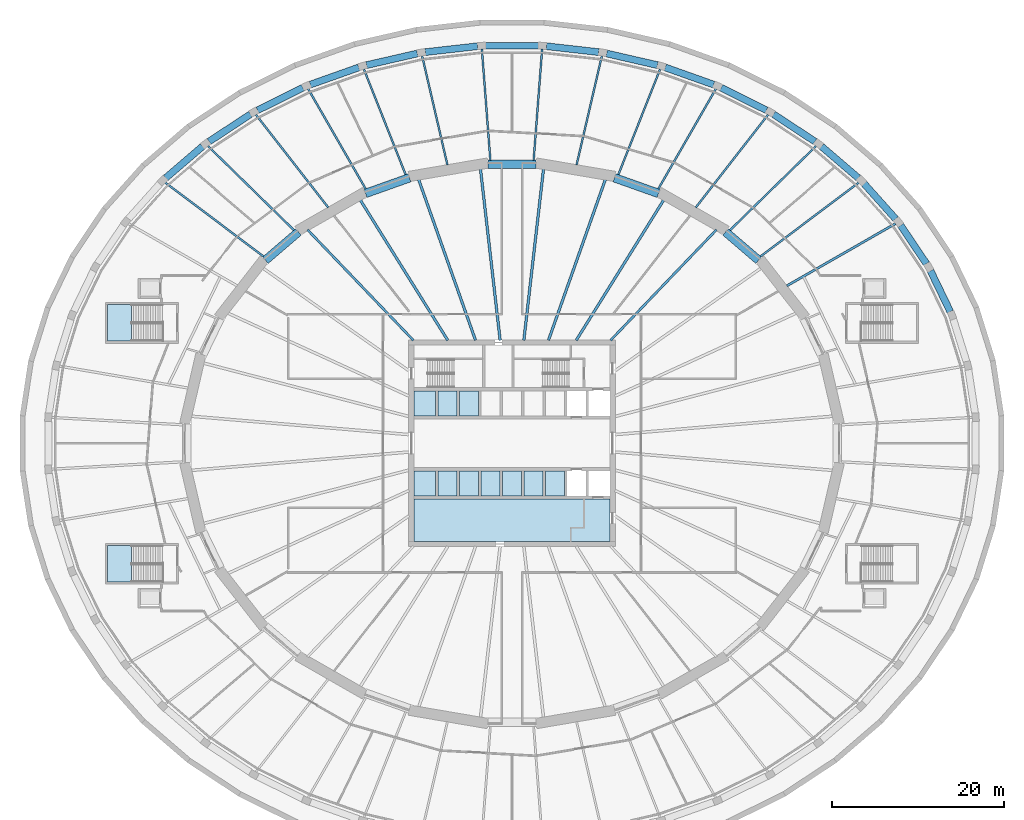
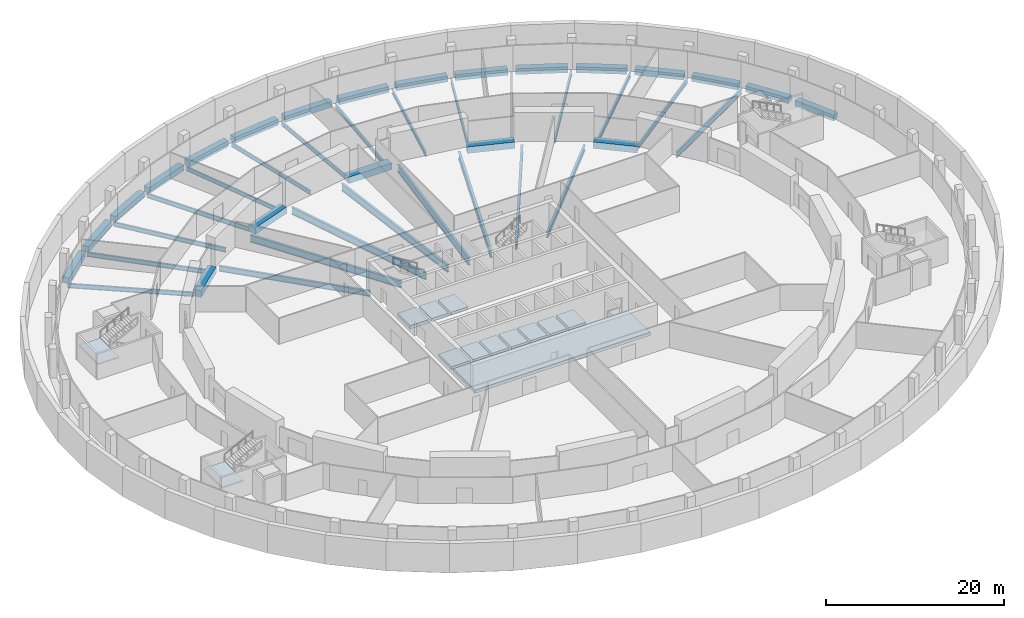
# One storey, part 3 of 14: 44 beams, 13 slabs, 2 elements without a shape of their own.
"""IFC4 building model written with IfcOpenShell, lengths in metres."""

from ifc_helpers import new_model, si_unit, direction, frame, origin, origin_2d, place, context, subcontext, project, spatial, polyline, rectangle, i_section, outline, extrude, material, layer, layer_set, material_profile, profile_set, type_object, element, aggregate, save


model = new_model("IFC4")

# Units and contexts
model_context = context("Model", 3, precision=1e-05, world=origin(), true_north=direction((0.0, 1.0)))
body_context = subcontext(model_context, "Body", "Model", "MODEL_VIEW")
ifc_project = project(units=[si_unit("LENGTHUNIT", "METRE"), si_unit("AREAUNIT", "SQUARE_METRE"), si_unit("VOLUMEUNIT", "CUBIC_METRE"), si_unit("PLANEANGLEUNIT", "RADIAN"), si_unit("MASSUNIT", "GRAM", prefix="KILO")], contexts=[model_context])

# Site, building, storey
site_placement = place(None, origin())
site = spatial("IfcSite", under=ifc_project, at=site_placement, CompositionType="ELEMENT")
building_placement = place(site_placement, origin())
building = spatial("IfcBuilding", under=site, at=building_placement, Name="Halqa Exchange Tower", CompositionType="ELEMENT")
storey_placement = place(building_placement, frame((0.0, 0.0, -4.0)))
storey = spatial("IfcBuildingStorey", under=building, at=storey_placement, Name="B1", CompositionType="ELEMENT", Elevation=-4.0)

# Beams
ifc_material_1 = material(Name="Steel S355", Category="steel")
ifc_material_profile_1 = material_profile(ifc_material_1, i_section(OverallWidth=0.300048828125, OverallDepth=0.989990234375, WebThickness=0.0166015625, FlangeThickness=0.031005859375, FilletRadius=0.030029296875, at=origin_2d()), Name="HEA 1000")
ifc_profile_set_1 = profile_set([ifc_material_profile_1], Name="Steel S355")
beam_type_1 = type_object("IfcBeamType", Name="Floor beam HEA 1000", PredefinedType="BEAM", material=ifc_profile_set_1)
for number, where, z_axis, x_axis, name in (
    (1, (7.46533203125, 11.971435546875, -0.945068359375), (0.529145823441, 0.848530905468, 0.0), (-0.848530905468, 0.529145823441, 0.0), "Radial beam 6"),
    (2, (-7.46533203125, 11.971435546875, -0.945068359375), (-0.529145823441, 0.848530905468, 0.0), (-0.848530905468, -0.529145823441, 0.0), "Radial beam 11"),
):
    element("IfcBeam", number, at=place(storey_placement, frame(where, z_axis=z_axis, x_axis=x_axis)), inside=storey, type_object=beam_type_1, Name=name, PredefinedType="BEAM", context=body_context, shape_type="SweptSolid", body=[
        extrude(i_section(OverallWidth=0.300048828125, OverallDepth=0.989990234375, WebThickness=0.0166015625, FlangeThickness=0.031005859375, FilletRadius=0.030029296875, at=origin_2d()), origin(), (0.0, 0.0, 1.0), 19.27294921875),
    ])
ifc_material_profile_2 = material_profile(ifc_material_1, i_section(OverallWidth=0.300048828125, OverallDepth=1.0, WebThickness=0.01904296875, FlangeThickness=0.035888671875, FilletRadius=0.030029296875, at=origin_2d()), Name="HEB 1000")
ifc_profile_set_2 = profile_set([ifc_material_profile_2], Name="Steel S355")
beam_type_2 = type_object("IfcBeamType", Name="Floor beam HEB 1000", PredefinedType="BEAM", material=ifc_profile_set_2)
beam_1_placement = place(storey_placement, frame((4.23681640625, 11.971923828125, -0.949951171875), z_axis=(0.333633039334, 0.942703025913, 0.0), x_axis=(-0.942703025913, 0.333633039334, 0.0)))
element("IfcBeam", 3, at=beam_1_placement, inside=storey, type_object=beam_type_2, Name="Radial beam 7", PredefinedType="BEAM", context=body_context, shape_type="SweptSolid", body=[
    extrude(i_section(OverallWidth=0.300048828125, OverallDepth=1.0, WebThickness=0.01904296875, FlangeThickness=0.035888671875, FilletRadius=0.030029296875, at=origin_2d()), origin(), (0.0, 0.0, 1.0), 19.885009765625),
])
for number, where, z_axis, x_axis, name in (
    (4, (1.375732421875, 11.972900390625, -0.949951171875), (0.114166838833, 0.99346159106, 0.0), (-0.99346159106, 0.114166838833, 0.0), "Radial beam 8"),
    (5, (-1.375732421875, 11.972900390625, -0.949951171875), (-0.114166838833, 0.99346159106, 0.0), (-0.99346159106, -0.114166838833, 0.0), "Radial beam 9"),
):
    element("IfcBeam", number, at=place(storey_placement, frame(where, z_axis=z_axis, x_axis=x_axis)), inside=storey, type_object=beam_type_2, Name=name, PredefinedType="BEAM", context=body_context, shape_type="SweptSolid", body=[
        extrude(i_section(OverallWidth=0.300048828125, OverallDepth=1.0, WebThickness=0.01904296875, FlangeThickness=0.035888671875, FilletRadius=0.030029296875, at=origin_2d()), origin(), (0.0, 0.0, 1.0), 20.103515625),
    ])
beam_2_placement = place(storey_placement, frame((-4.23681640625, 11.971923828125, -0.949951171875), z_axis=(-0.333633039334, 0.942703025913, 0.0), x_axis=(-0.942703025913, -0.333633039334, 0.0)))
element("IfcBeam", 6, at=beam_2_placement, inside=storey, type_object=beam_type_2, Name="Radial beam 10", PredefinedType="BEAM", context=body_context, shape_type="SweptSolid", body=[
    extrude(i_section(OverallWidth=0.300048828125, OverallDepth=1.0, WebThickness=0.01904296875, FlangeThickness=0.035888671875, FilletRadius=0.030029296875, at=origin_2d()), origin(), (0.0, 0.0, 1.0), 19.885009765625),
])
ifc_material_profile_3 = material_profile(ifc_material_1, i_section(OverallWidth=0.2099609375, OverallDepth=0.550048828125, WebThickness=0.010986328125, FlangeThickness=0.01708984375, FilletRadius=0.02392578125, at=origin_2d()), Name="IPE 550")
ifc_profile_set_3 = profile_set([ifc_material_profile_3], Name="Steel S355")
beam_type_3 = type_object("IfcBeamType", Name="Floor beam IPE 550", PredefinedType="BEAM", material=ifc_profile_set_3)
beam_3_placement = place(storey_placement, frame((12.352294921875, 31.2001953125, -0.72509765625), z_axis=(0.368106640822, 0.929783577497, 0.0), x_axis=(-0.929783577497, 0.368106640822, 0.0)))
element("IfcBeam", 7, at=beam_3_placement, inside=storey, type_object=beam_type_3, Name="Radial beam 10", PredefinedType="BEAM", context=body_context, shape_type="SweptSolid", body=[
    extrude(i_section(OverallWidth=0.2099609375, OverallDepth=0.550048828125, WebThickness=0.010986328125, FlangeThickness=0.01708984375, FilletRadius=0.02392578125, at=origin_2d()), origin(), (0.0, 0.0, 1.0), 13.22412109375),
])
beam_4_placement = place(storey_placement, frame((7.5048828125, 32.35009765625, -0.72509765625), z_axis=(0.2259960959, 0.974128207495, 0.0), x_axis=(-0.974128207495, 0.2259960959, 0.0)))
element("IfcBeam", 8, at=beam_4_placement, inside=storey, type_object=beam_type_3, Name="Radial beam 11", PredefinedType="BEAM", context=body_context, shape_type="SweptSolid", body=[
    extrude(i_section(OverallWidth=0.2099609375, OverallDepth=0.550048828125, WebThickness=0.010986328125, FlangeThickness=0.01708984375, FilletRadius=0.02392578125, at=origin_2d()), origin(), (0.0, 0.0, 1.0), 13.03466796875),
])
for number, where, z_axis, x_axis, name in (
    (9, (2.513916015625, 32.88623046875, -0.72509765625), (0.076223337155, 0.997090769626, 0.0), (-0.997090769626, 0.076223337155, 0.0), "Radial beam 12"),
    (10, (-2.513916015625, 32.88623046875, -0.72509765625), (-0.076223337155, 0.997090769626, 0.0), (-0.997090769626, -0.076223337155, 0.0), "Radial beam 13"),
):
    element("IfcBeam", number, at=place(storey_placement, frame(where, z_axis=z_axis, x_axis=x_axis)), inside=storey, type_object=beam_type_3, Name=name, PredefinedType="BEAM", context=body_context, shape_type="SweptSolid", body=[
        extrude(i_section(OverallWidth=0.2099609375, OverallDepth=0.550048828125, WebThickness=0.010986328125, FlangeThickness=0.01708984375, FilletRadius=0.02392578125, at=origin_2d()), origin(), (0.0, 0.0, 1.0), 12.981689453125),
    ])
beam_5_placement = place(storey_placement, frame((-7.5048828125, 32.35009765625, -0.72509765625), z_axis=(-0.2259960959, 0.974128207495, 0.0), x_axis=(-0.974128207495, -0.2259960959, 0.0)))
element("IfcBeam", 11, at=beam_5_placement, inside=storey, type_object=beam_type_3, Name="Radial beam 14", PredefinedType="BEAM", context=body_context, shape_type="SweptSolid", body=[
    extrude(i_section(OverallWidth=0.2099609375, OverallDepth=0.550048828125, WebThickness=0.010986328125, FlangeThickness=0.01708984375, FilletRadius=0.02392578125, at=origin_2d()), origin(), (0.0, 0.0, 1.0), 13.03466796875),
])
beam_6_placement = place(storey_placement, frame((-12.352294921875, 31.2001953125, -0.72509765625), z_axis=(-0.368106640822, 0.929783577497, 0.0), x_axis=(-0.929783577497, -0.368106640822, 0.0)))
element("IfcBeam", 12, at=beam_6_placement, inside=storey, type_object=beam_type_3, Name="Radial beam 15", PredefinedType="BEAM", context=body_context, shape_type="SweptSolid", body=[
    extrude(i_section(OverallWidth=0.2099609375, OverallDepth=0.550048828125, WebThickness=0.010986328125, FlangeThickness=0.01708984375, FilletRadius=0.02392578125, at=origin_2d()), origin(), (0.0, 0.0, 1.0), 13.22412109375),
])
ifc_material_profile_4 = material_profile(ifc_material_1, i_section(OverallWidth=0.219970703125, OverallDepth=0.60009765625, WebThickness=0.011962890625, FlangeThickness=0.01904296875, FilletRadius=0.02392578125, at=origin_2d()), Name="IPE 600")
ifc_profile_set_4 = profile_set([ifc_material_profile_4], Name="Steel S355")
beam_type_4 = type_object("IfcBeamType", Name="Floor beam IPE 600", PredefinedType="BEAM", material=ifc_profile_set_4)
beam_7_placement = place(storey_placement, frame((28.875732421875, 21.71240234375, -0.75), z_axis=(0.799257291391, 0.600989003359, 0.0), x_axis=(-0.600989003359, 0.799257291391, 0.0)))
element("IfcBeam", 13, at=beam_7_placement, inside=storey, type_object=beam_type_4, Name="Radial beam 6", PredefinedType="BEAM", context=body_context, shape_type="SweptSolid", body=[
    extrude(i_section(OverallWidth=0.219970703125, OverallDepth=0.60009765625, WebThickness=0.011962890625, FlangeThickness=0.01904296875, FilletRadius=0.02392578125, at=origin_2d()), origin(), (0.0, 0.0, 1.0), 14.291259765625),
])
beam_8_placement = place(storey_placement, frame((25.322265625, 24.757080078125, -0.75), z_axis=(0.715038042334, 0.699085544133, 0.0), x_axis=(-0.699085544133, 0.715038042334, 0.0)))
element("IfcBeam", 14, at=beam_8_placement, inside=storey, type_object=beam_type_4, Name="Radial beam 7", PredefinedType="BEAM", context=body_context, shape_type="SweptSolid", body=[
    extrude(i_section(OverallWidth=0.219970703125, OverallDepth=0.60009765625, WebThickness=0.011962890625, FlangeThickness=0.01904296875, FilletRadius=0.02392578125, at=origin_2d()), origin(), (0.0, 0.0, 1.0), 14.00341796875),
])
beam_9_placement = place(storey_placement, frame((21.3603515625, 27.40966796875, -0.75), z_axis=(0.614701342153, 0.78875995078, 0.0), x_axis=(-0.78875995078, 0.614701342153, 0.0)))
element("IfcBeam", 15, at=beam_9_placement, inside=storey, type_object=beam_type_4, Name="Radial beam 8", PredefinedType="BEAM", context=body_context, shape_type="SweptSolid", body=[
    extrude(i_section(OverallWidth=0.219970703125, OverallDepth=0.60009765625, WebThickness=0.011962890625, FlangeThickness=0.01904296875, FilletRadius=0.02392578125, at=origin_2d()), origin(), (0.0, 0.0, 1.0), 13.681396484375),
])
for number, where, z_axis, x_axis, name in (
    (16, (16.996826171875, 29.551513671875, -0.75), (0.498570786865, 0.866848989435, 0.0), (-0.866848989435, 0.498570786865, 0.0), "Radial beam 9"),
    (17, (-16.996826171875, 29.551513671875, -0.75), (-0.498570786865, 0.866848989435, 0.0), (-0.866848989435, -0.498570786865, 0.0), "Radial beam 16"),
):
    element("IfcBeam", number, at=place(storey_placement, frame(where, z_axis=z_axis, x_axis=x_axis)), inside=storey, type_object=beam_type_4, Name=name, PredefinedType="BEAM", context=body_context, shape_type="SweptSolid", body=[
        extrude(i_section(OverallWidth=0.219970703125, OverallDepth=0.60009765625, WebThickness=0.011962890625, FlangeThickness=0.01904296875, FilletRadius=0.02392578125, at=origin_2d()), origin(), (0.0, 0.0, 1.0), 13.438720703125),
    ])
beam_10_placement = place(storey_placement, frame((-21.3603515625, 27.40966796875, -0.75), z_axis=(-0.614701342153, 0.78875995078, 0.0), x_axis=(-0.78875995078, -0.614701342153, 0.0)))
element("IfcBeam", 18, at=beam_10_placement, inside=storey, type_object=beam_type_4, Name="Radial beam 17", PredefinedType="BEAM", context=body_context, shape_type="SweptSolid", body=[
    extrude(i_section(OverallWidth=0.219970703125, OverallDepth=0.60009765625, WebThickness=0.011962890625, FlangeThickness=0.01904296875, FilletRadius=0.02392578125, at=origin_2d()), origin(), (0.0, 0.0, 1.0), 13.681396484375),
])
beam_11_placement = place(storey_placement, frame((-25.322265625, 24.757080078125, -0.75), z_axis=(-0.715038042334, 0.699085544133, 0.0), x_axis=(-0.699085544133, -0.715038042334, 0.0)))
element("IfcBeam", 19, at=beam_11_placement, inside=storey, type_object=beam_type_4, Name="Radial beam 18", PredefinedType="BEAM", context=body_context, shape_type="SweptSolid", body=[
    extrude(i_section(OverallWidth=0.219970703125, OverallDepth=0.60009765625, WebThickness=0.011962890625, FlangeThickness=0.01904296875, FilletRadius=0.02392578125, at=origin_2d()), origin(), (0.0, 0.0, 1.0), 14.00341796875),
])
beam_12_placement = place(storey_placement, frame((-28.875732421875, 21.71240234375, -0.75), z_axis=(-0.799257291391, 0.600989003359, 0.0), x_axis=(-0.600989003359, -0.799257291391, 0.0)))
element("IfcBeam", 20, at=beam_12_placement, inside=storey, type_object=beam_type_4, Name="Radial beam 19", PredefinedType="BEAM", context=body_context, shape_type="SweptSolid", body=[
    extrude(i_section(OverallWidth=0.219970703125, OverallDepth=0.60009765625, WebThickness=0.011962890625, FlangeThickness=0.01904296875, FilletRadius=0.02392578125, at=origin_2d()), origin(), (0.0, 0.0, 1.0), 14.291259765625),
])
ifc_material_profile_5 = material_profile(ifc_material_1, i_section(OverallWidth=0.264892578125, OverallDepth=0.7529296875, WebThickness=0.01318359375, FlangeThickness=0.01708984375, FilletRadius=0.01708984375, at=origin_2d()), Name="IPE 750x147")
ifc_profile_set_5 = profile_set([ifc_material_profile_5], Name="Steel S355")
beam_type_5 = type_object("IfcBeamType", Name="Floor beam IPE 750x147", PredefinedType="BEAM", material=ifc_profile_set_5)
beam_13_placement = place(storey_placement, frame((31.942626953125, 18.300048828125, -0.826416015625), z_axis=(0.867691436398, 0.497103179633, 0.0), x_axis=(-0.497103179633, 0.867691436398, 0.0)))
element("IfcBeam", 21, at=beam_13_placement, inside=storey, type_object=beam_type_5, Name="Radial beam 5", PredefinedType="BEAM", context=body_context, shape_type="SweptSolid", body=[
    extrude(i_section(OverallWidth=0.264892578125, OverallDepth=0.7529296875, WebThickness=0.01318359375, FlangeThickness=0.01708984375, FilletRadius=0.01708984375, at=origin_2d()), origin(), (0.0, 0.0, 1.0), 14.555908203125),
])
ifc_material_profile_6 = material_profile(ifc_material_1, i_section(OverallWidth=0.26806640625, OverallDepth=0.77001953125, WebThickness=0.015625, FlangeThickness=0.025390625, FilletRadius=0.01708984375, at=origin_2d()), Name="IPE 750x196")
ifc_profile_set_6 = profile_set([ifc_material_profile_6], Name="Steel S355")
beam_type_6 = type_object("IfcBeamType", Name="Floor beam IPE 750x196", PredefinedType="BEAM", material=ifc_profile_set_6)
for number, where, z_axis, x_axis, name in (
    (22, (11.46240234375, 11.9716796875, -0.8349609375), (0.6915763718, 0.722303344841, 0.0), (-0.722303344841, 0.6915763718, 0.0), "Radial beam 5"),
    (23, (-11.46240234375, 11.9716796875, -0.8349609375), (-0.6915763718, 0.722303344841, 0.0), (-0.722303344841, -0.6915763718, 0.0), "Radial beam 12"),
):
    element("IfcBeam", number, at=place(storey_placement, frame(where, z_axis=z_axis, x_axis=x_axis)), inside=storey, type_object=beam_type_6, Name=name, PredefinedType="BEAM", context=body_context, shape_type="SweptSolid", body=[
        extrude(i_section(OverallWidth=0.26806640625, OverallDepth=0.77001953125, WebThickness=0.015625, FlangeThickness=0.025390625, FilletRadius=0.01708984375, at=origin_2d()), origin(), (0.0, 0.0, 1.0), 17.7978515625),
    ])
ifc_material_2 = material(Name="Concrete C60/75", Category="concrete")
ifc_material_profile_7 = material_profile(ifc_material_2, rectangle(XDim=0.800048828125, YDim=0.800048828125, at=origin_2d()), Name="800 x 800")
ifc_profile_set_7 = profile_set([ifc_material_profile_7], Name="Concrete C60/75")
beam_type_7 = type_object("IfcBeamType", Name="RC podium edge beam 800 x 800 C60/75", PredefinedType="SPANDREL", material=ifc_profile_set_7)
beam_14_placement = place(storey_placement, frame((50.92822265625, 15.308837890625, -0.39990234375), z_axis=(-0.43497328232, 0.9004433595, 0.0), x_axis=(-0.9004433595, -0.43497328232, 0.0)))
element("IfcBeam", 24, at=beam_14_placement, inside=storey, type_object=beam_type_7, Name="Podium edge beam 3", PredefinedType="SPANDREL", context=body_context, shape_type="SweptSolid", body=[
    extrude(rectangle(XDim=0.800048828125, YDim=0.800048828125, at=origin_2d()), origin(), (0.0, 0.0, 1.0), 5.267578125),
])
beam_15_placement = place(storey_placement, frame((48.1669921875, 20.8701171875, -0.39990234375), z_axis=(-0.558528358221, 0.829485426673, 0.0), x_axis=(-0.829485426673, -0.558528358221, 0.0)))
element("IfcBeam", 25, at=beam_15_placement, inside=storey, type_object=beam_type_7, Name="Podium edge beam 4", PredefinedType="SPANDREL", context=body_context, shape_type="SweptSolid", body=[
    extrude(rectangle(XDim=0.800048828125, YDim=0.800048828125, at=origin_2d()), origin(), (0.0, 0.0, 1.0), 5.378173828125),
])
beam_16_placement = place(storey_placement, frame((44.58349609375, 26.075927734375, -0.39990234375), z_axis=(-0.666902525907, 0.745144966392, 0.0), x_axis=(-0.745144966392, -0.666902525907, 0.0)))
element("IfcBeam", 26, at=beam_16_placement, inside=storey, type_object=beam_type_7, Name="Podium edge beam 5", PredefinedType="SPANDREL", context=body_context, shape_type="SweptSolid", body=[
    extrude(rectangle(XDim=0.800048828125, YDim=0.800048828125, at=origin_2d()), origin(), (0.0, 0.0, 1.0), 5.501220703125),
])
beam_17_placement = place(storey_placement, frame((40.240478515625, 30.83544921875, -0.39990234375), z_axis=(-0.759174010844, 0.650887717859, 0.0), x_axis=(-0.650887717859, -0.759174010844, 0.0)))
element("IfcBeam", 27, at=beam_17_placement, inside=storey, type_object=beam_type_7, Name="Podium edge beam 6", PredefinedType="SPANDREL", context=body_context, shape_type="SweptSolid", body=[
    extrude(rectangle(XDim=0.800048828125, YDim=0.800048828125, at=origin_2d()), origin(), (0.0, 0.0, 1.0), 5.63427734375),
])
beam_18_placement = place(storey_placement, frame((35.208984375, 35.070556640625, -0.39990234375), z_axis=(-0.835418618456, 0.549614166426, 0.0), x_axis=(-0.549614166426, -0.835418618456, 0.0)))
element("IfcBeam", 28, at=beam_18_placement, inside=storey, type_object=beam_type_7, Name="Podium edge beam 7", PredefinedType="SPANDREL", context=body_context, shape_type="SweptSolid", body=[
    extrude(rectangle(XDim=0.800048828125, YDim=0.800048828125, at=origin_2d()), origin(), (0.0, 0.0, 1.0), 5.760986328125),
])
beam_19_placement = place(storey_placement, frame((29.576904296875, 38.706787109375, -0.39990234375), z_axis=(-0.896205416004, 0.443639326847, 0.0), x_axis=(-0.443639326847, -0.896205416004, 0.0)))
element("IfcBeam", 29, at=beam_19_placement, inside=storey, type_object=beam_type_7, Name="Podium edge beam 8", PredefinedType="SPANDREL", context=body_context, shape_type="SweptSolid", body=[
    extrude(rectangle(XDim=0.800048828125, YDim=0.800048828125, at=origin_2d()), origin(), (0.0, 0.0, 1.0), 5.880126953125),
])
beam_20_placement = place(storey_placement, frame((23.4384765625, 41.683349609375, -0.39990234375), z_axis=(-0.942343471221, 0.334647250469, 0.0), x_axis=(-0.334647250469, -0.942343471221, 0.0)))
element("IfcBeam", 30, at=beam_20_placement, inside=storey, type_object=beam_type_7, Name="Podium edge beam 9", PredefinedType="SPANDREL", context=body_context, shape_type="SweptSolid", body=[
    extrude(rectangle(XDim=0.800048828125, YDim=0.800048828125, at=origin_2d()), origin(), (0.0, 0.0, 1.0), 5.980712890625),
])
beam_21_placement = place(storey_placement, frame((16.89794921875, 43.948486328125, -0.39990234375), z_axis=(-0.974604133477, 0.223934774008, 0.0), x_axis=(-0.223934774008, -0.974604133477, 0.0)))
element("IfcBeam", 31, at=beam_21_placement, inside=storey, type_object=beam_type_7, Name="Podium edge beam 10", PredefinedType="SPANDREL", context=body_context, shape_type="SweptSolid", body=[
    extrude(rectangle(XDim=0.800048828125, YDim=0.800048828125, at=origin_2d()), origin(), (0.0, 0.0, 1.0), 6.05517578125),
])
beam_22_placement = place(storey_placement, frame((10.064453125, 45.46337890625, -0.39990234375), z_axis=(-0.993688954696, 0.112170679393, 0.0), x_axis=(-0.112170679393, -0.993688954696, 0.0)))
element("IfcBeam", 32, at=beam_22_placement, inside=storey, type_object=beam_type_7, Name="Podium edge beam 11", PredefinedType="SPANDREL", context=body_context, shape_type="SweptSolid", body=[
    extrude(rectangle(XDim=0.800048828125, YDim=0.800048828125, at=origin_2d()), origin(), (0.0, 0.0, 1.0), 6.100830078125),
])
beam_23_placement = place(storey_placement, frame((3.05859375, 46.200927734375, -0.39990234375), z_axis=(-1.0, 0.0, 0.0), x_axis=(0.0, -1.0, 0.0)))
element("IfcBeam", 33, at=beam_23_placement, inside=storey, type_object=beam_type_7, Name="Podium edge beam 12", PredefinedType="SPANDREL", context=body_context, shape_type="SweptSolid", body=[
    extrude(rectangle(XDim=0.800048828125, YDim=0.800048828125, at=origin_2d()), origin(), (0.0, 0.0, 1.0), 6.1171875),
])
beam_24_placement = place(storey_placement, frame((-4.002197265625, 46.147705078125, -0.39990234375), z_axis=(-0.993688954696, -0.112170679393, 0.0), x_axis=(0.112170679393, -0.993688954696, 0.0)))
element("IfcBeam", 34, at=beam_24_placement, inside=storey, type_object=beam_type_7, Name="Podium edge beam 13", PredefinedType="SPANDREL", context=body_context, shape_type="SweptSolid", body=[
    extrude(rectangle(XDim=0.800048828125, YDim=0.800048828125, at=origin_2d()), origin(), (0.0, 0.0, 1.0), 6.100830078125),
])
beam_25_placement = place(storey_placement, frame((-10.99658203125, 45.304443359375, -0.39990234375), z_axis=(-0.974604133477, -0.223934774008, 0.0), x_axis=(0.223934774008, -0.974604133477, 0.0)))
element("IfcBeam", 35, at=beam_25_placement, inside=storey, type_object=beam_type_7, Name="Podium edge beam 14", PredefinedType="SPANDREL", context=body_context, shape_type="SweptSolid", body=[
    extrude(rectangle(XDim=0.800048828125, YDim=0.800048828125, at=origin_2d()), origin(), (0.0, 0.0, 1.0), 6.05517578125),
])
beam_26_placement = place(storey_placement, frame((-17.802490234375, 43.684814453125, -0.39990234375), z_axis=(-0.942343471221, -0.334647250469, 0.0), x_axis=(0.334647250469, -0.942343471221, 0.0)))
element("IfcBeam", 36, at=beam_26_placement, inside=storey, type_object=beam_type_7, Name="Podium edge beam 15", PredefinedType="SPANDREL", context=body_context, shape_type="SweptSolid", body=[
    extrude(rectangle(XDim=0.800048828125, YDim=0.800048828125, at=origin_2d()), origin(), (0.0, 0.0, 1.0), 5.980712890625),
])
beam_27_placement = place(storey_placement, frame((-24.30712890625, 41.3154296875, -0.39990234375), z_axis=(-0.896205416004, -0.443639326847, 0.0), x_axis=(0.443639326847, -0.896205416004, 0.0)))
element("IfcBeam", 37, at=beam_27_placement, inside=storey, type_object=beam_type_7, Name="Podium edge beam 16", PredefinedType="SPANDREL", context=body_context, shape_type="SweptSolid", body=[
    extrude(rectangle(XDim=0.800048828125, YDim=0.800048828125, at=origin_2d()), origin(), (0.0, 0.0, 1.0), 5.880126953125),
])
beam_28_placement = place(storey_placement, frame((-30.396240234375, 38.23681640625, -0.39990234375), z_axis=(-0.835418618456, -0.549614166426, 0.0), x_axis=(0.549614166426, -0.835418618456, 0.0)))
element("IfcBeam", 38, at=beam_28_placement, inside=storey, type_object=beam_type_7, Name="Podium edge beam 17", PredefinedType="SPANDREL", context=body_context, shape_type="SweptSolid", body=[
    extrude(rectangle(XDim=0.800048828125, YDim=0.800048828125, at=origin_2d()), origin(), (0.0, 0.0, 1.0), 5.760986328125),
])
beam_29_placement = place(storey_placement, frame((-35.963134765625, 34.502685546875, -0.39990234375), z_axis=(-0.759174010844, -0.650887717859, 0.0), x_axis=(0.650887717859, -0.759174010844, 0.0)))
element("IfcBeam", 39, at=beam_29_placement, inside=storey, type_object=beam_type_7, Name="Podium edge beam 18", PredefinedType="SPANDREL", context=body_context, shape_type="SweptSolid", body=[
    extrude(rectangle(XDim=0.800048828125, YDim=0.800048828125, at=origin_2d()), origin(), (0.0, 0.0, 1.0), 5.63427734375),
])
ifc_material_profile_8 = material_profile(ifc_material_2, rectangle(XDim=1.0, YDim=0.89990234375, at=origin_2d()), Name="1000 x 900")
ifc_profile_set_8 = profile_set([ifc_material_profile_8], Name="Concrete C60/75")
beam_type_8 = type_object("IfcBeamType", Name="RC spandrel beam 1000 x 900 C60/75", PredefinedType="SPANDREL", material=ifc_profile_set_8)
beam_30_placement = place(storey_placement, frame((28.659423828125, 21.27587890625, -0.449951171875), z_axis=(-0.759263417999, 0.650783421799, 0.0), x_axis=(-0.650783421799, -0.759263417999, 0.0)))
element("IfcBeam", 40, at=beam_30_placement, inside=storey, type_object=beam_type_8, Name="Spandrel 4", PredefinedType="SPANDREL", context=body_context, shape_type="SweptSolid", body=[
    extrude(rectangle(XDim=1.0, YDim=0.89990234375, at=origin_2d()), origin(), (0.0, 0.0, 1.0), 5.056884765625),
])
beam_31_placement = place(storey_placement, frame((17.030029296875, 29.038818359375, -0.449951171875), z_axis=(-0.942357788657, 0.334606930826, 0.0), x_axis=(-0.334606930826, -0.942357788657, 0.0)))
element("IfcBeam", 41, at=beam_31_placement, inside=storey, type_object=beam_type_8, Name="Spandrel 6", PredefinedType="SPANDREL", context=body_context, shape_type="SweptSolid", body=[
    extrude(rectangle(XDim=1.0, YDim=0.89990234375, at=origin_2d()), origin(), (0.0, 0.0, 1.0), 5.429931640625),
])
beam_32_placement = place(storey_placement, frame((2.789794921875, 32.41455078125, -0.449951171875), z_axis=(-1.0, 0.0, 0.0), x_axis=(0.0, -1.0, 0.0)))
element("IfcBeam", 42, at=beam_32_placement, inside=storey, type_object=beam_type_8, Name="Spandrel 8", PredefinedType="SPANDREL", context=body_context, shape_type="SweptSolid", body=[
    extrude(rectangle(XDim=1.0, YDim=0.89990234375, at=origin_2d()), origin(), (0.0, 0.0, 1.0), 5.57958984375),
])
beam_33_placement = place(storey_placement, frame((-11.9130859375, 30.855712890625, -0.449951171875), z_axis=(-0.942357788657, -0.334606930826, 0.0), x_axis=(0.334606930826, -0.942357788657, 0.0)))
element("IfcBeam", 43, at=beam_33_placement, inside=storey, type_object=beam_type_8, Name="Spandrel 10", PredefinedType="SPANDREL", context=body_context, shape_type="SweptSolid", body=[
    extrude(rectangle(XDim=1.0, YDim=0.89990234375, at=origin_2d()), origin(), (0.0, 0.0, 1.0), 5.429931640625),
])
beam_34_placement = place(storey_placement, frame((-24.81982421875, 24.56689453125, -0.449951171875), z_axis=(-0.759263417999, -0.650783421799, 0.0), x_axis=(0.650783421799, -0.759263417999, 0.0)))
element("IfcBeam", 44, at=beam_34_placement, inside=storey, type_object=beam_type_8, Name="Spandrel 12", PredefinedType="SPANDREL", context=body_context, shape_type="SweptSolid", body=[
    extrude(rectangle(XDim=1.0, YDim=0.89990234375, at=origin_2d()), origin(), (0.0, 0.0, 1.0), 5.056884765625),
])

# Slabs
ifc_layer_1 = layer(ifc_material_2, 0.449951171875)
ifc_layer_set_1 = layer_set([ifc_layer_1], Name="Concrete C60/75")
slab_type_1 = type_object("IfcSlabType", Name="Core floor slab 450", PredefinedType="FLOOR", material=ifc_layer_set_1)
slab_1_placement = place(storey_placement, frame((0.0, 0.0, -0.449951171875)))
element("IfcSlab", 45, at=slab_1_placement, inside=storey, type_object=slab_type_1, Name="Core floor slab", PredefinedType="FLOOR", context=body_context, shape_type="SweptSolid", body=[
    extrude(outline(polyline([(-11.39990234375, -6.5), (11.39990234375, -6.5), (11.39990234375, -11.39990234375), (-11.39990234375, -11.39990234375), (-11.39990234375, -6.5)])), origin(), (0.0, 0.0, 1.0), 0.449951171875),
])
slab_2_placement = place(storey_placement, frame((0.0, 0.0, -0.449951171875)))
element("IfcSlab", 46, at=slab_2_placement, inside=storey, type_object=slab_type_1, Name="Core floor slab", PredefinedType="FLOOR", context=body_context, shape_type="SweptSolid", body=[
    extrude(outline(polyline([(-8.89990234375, -6.10009765625), (-11.39990234375, -6.10009765625), (-11.39990234375, -3.199951171875), (-8.89990234375, -3.199951171875), (-8.89990234375, -6.10009765625)])), origin(), (0.0, 0.0, 1.0), 0.449951171875),
])
slab_3_placement = place(storey_placement, frame((0.0, 0.0, -0.449951171875)))
element("IfcSlab", 47, at=slab_3_placement, inside=storey, type_object=slab_type_1, Name="Core floor slab", PredefinedType="FLOOR", context=body_context, shape_type="SweptSolid", body=[
    extrude(outline(polyline([(-11.39990234375, 3.199951171875), (-11.39990234375, 6.10009765625), (-8.89990234375, 6.10009765625), (-8.89990234375, 3.199951171875), (-11.39990234375, 3.199951171875)])), origin(), (0.0, 0.0, 1.0), 0.449951171875),
])
slab_4_placement = place(storey_placement, frame((0.0, 0.0, -0.449951171875)))
element("IfcSlab", 48, at=slab_4_placement, inside=storey, type_object=slab_type_1, Name="Core floor slab", PredefinedType="FLOOR", context=body_context, shape_type="SweptSolid", body=[
    extrude(outline(polyline([(-6.39990234375, -6.10009765625), (-8.60009765625, -6.10009765625), (-8.60009765625, -3.199951171875), (-6.39990234375, -3.199951171875), (-6.39990234375, -6.10009765625)])), origin(), (0.0, 0.0, 1.0), 0.449951171875),
])
slab_5_placement = place(storey_placement, frame((0.0, 0.0, -0.449951171875)))
element("IfcSlab", 49, at=slab_5_placement, inside=storey, type_object=slab_type_1, Name="Core floor slab", PredefinedType="FLOOR", context=body_context, shape_type="SweptSolid", body=[
    extrude(outline(polyline([(-6.39990234375, 3.199951171875), (-8.60009765625, 3.199951171875), (-8.60009765625, 6.10009765625), (-6.39990234375, 6.10009765625), (-6.39990234375, 3.199951171875)])), origin(), (0.0, 0.0, 1.0), 0.449951171875),
])
slab_6_placement = place(storey_placement, frame((0.0, 0.0, -0.449951171875)))
element("IfcSlab", 50, at=slab_6_placement, inside=storey, type_object=slab_type_1, Name="Core floor slab", PredefinedType="FLOOR", context=body_context, shape_type="SweptSolid", body=[
    extrude(outline(polyline([(-3.89990234375, -6.10009765625), (-6.10009765625, -6.10009765625), (-6.10009765625, -3.199951171875), (-3.89990234375, -3.199951171875), (-3.89990234375, -6.10009765625)])), origin(), (0.0, 0.0, 1.0), 0.449951171875),
])
slab_7_placement = place(storey_placement, frame((0.0, 0.0, -0.449951171875)))
element("IfcSlab", 51, at=slab_7_placement, inside=storey, type_object=slab_type_1, Name="Core floor slab", PredefinedType="FLOOR", context=body_context, shape_type="SweptSolid", body=[
    extrude(outline(polyline([(-3.89990234375, 3.199951171875), (-6.10009765625, 3.199951171875), (-6.10009765625, 6.10009765625), (-3.89990234375, 6.10009765625), (-3.89990234375, 3.199951171875)])), origin(), (0.0, 0.0, 1.0), 0.449951171875),
])
slab_8_placement = place(storey_placement, frame((0.0, 0.0, -0.449951171875)))
element("IfcSlab", 52, at=slab_8_placement, inside=storey, type_object=slab_type_1, Name="Core floor slab", PredefinedType="FLOOR", context=body_context, shape_type="SweptSolid", body=[
    extrude(outline(polyline([(-1.39990234375, -6.10009765625), (-3.60009765625, -6.10009765625), (-3.60009765625, -3.199951171875), (-1.39990234375, -3.199951171875), (-1.39990234375, -6.10009765625)])), origin(), (0.0, 0.0, 1.0), 0.449951171875),
])
slab_9_placement = place(storey_placement, frame((0.0, 0.0, -0.449951171875)))
element("IfcSlab", 53, at=slab_9_placement, inside=storey, type_object=slab_type_1, Name="Core floor slab", PredefinedType="FLOOR", context=body_context, shape_type="SweptSolid", body=[
    extrude(outline(polyline([(1.10009765625, -3.199951171875), (1.10009765625, -6.10009765625), (-1.10009765625, -6.10009765625), (-1.10009765625, -3.199951171875), (1.10009765625, -3.199951171875)])), origin(), (0.0, 0.0, 1.0), 0.449951171875),
])
slab_10_placement = place(storey_placement, frame((0.0, 0.0, -0.449951171875)))
element("IfcSlab", 54, at=slab_10_placement, inside=storey, type_object=slab_type_1, Name="Core floor slab", PredefinedType="FLOOR", context=body_context, shape_type="SweptSolid", body=[
    extrude(outline(polyline([(3.60009765625, -3.199951171875), (3.60009765625, -6.10009765625), (1.39990234375, -6.10009765625), (1.39990234375, -3.199951171875), (3.60009765625, -3.199951171875)])), origin(), (0.0, 0.0, 1.0), 0.449951171875),
])
slab_11_placement = place(storey_placement, frame((0.0, 0.0, -0.449951171875)))
element("IfcSlab", 55, at=slab_11_placement, inside=storey, type_object=slab_type_1, Name="Core floor slab", PredefinedType="FLOOR", context=body_context, shape_type="SweptSolid", body=[
    extrude(outline(polyline([(6.10009765625, -3.199951171875), (6.10009765625, -6.10009765625), (3.89990234375, -6.10009765625), (3.89990234375, -3.199951171875), (6.10009765625, -3.199951171875)])), origin(), (0.0, 0.0, 1.0), 0.449951171875),
])

# Stair, slab
ifc_material_3 = material(Name="Concrete C30/37", Category="concrete")
stair_type = type_object("IfcStairType", Name="Exit stair 2000 wide", PredefinedType="HALF_TURN_STAIR", material=ifc_material_3)
stair_1_placement = place(storey_placement, origin())
stair_1 = element("IfcStair", 56, at=stair_1_placement, inside=storey, type_object=stair_type, Name="Exit stair SS3", PredefinedType="HALF_TURN_STAIR")
ifc_layer_2 = layer(ifc_material_3, 0.199951171875)
ifc_layer_set_2 = layer_set([ifc_layer_2], Name="Concrete C30/37")
slab_type_2 = type_object("IfcSlabType", Name="Stair landing 200 slab", PredefinedType="LANDING", material=ifc_layer_set_2)
slab_12_placement = place(storey_placement, frame((0.0, 0.0, 1.800048828125)))
slab_12 = element("IfcSlab", 57, at=slab_12_placement, type_object=slab_type_2, Name="SS3 landing 1", PredefinedType="LANDING", context=body_context, shape_type="SweptSolid", body=[
    extrude(outline(polyline([(-47.0, 11.875), (-44.239990234375, 11.875), (-44.239990234375, 16.125), (-47.0, 16.125), (-47.0, 11.875)])), origin(), (0.0, 0.0, 1.0), 0.199951171875),
])
aggregate(stair_1, [slab_12])

stair_2_placement = place(storey_placement, origin())
stair_2 = element("IfcStair", 58, at=stair_2_placement, inside=storey, type_object=stair_type, Name="Exit stair SS4", PredefinedType="HALF_TURN_STAIR")
slab_13_placement = place(storey_placement, frame((0.0, 0.0, 1.800048828125)))
slab_13 = element("IfcSlab", 59, at=slab_13_placement, type_object=slab_type_2, Name="SS4 landing 1", PredefinedType="LANDING", context=body_context, shape_type="SweptSolid", body=[
    extrude(outline(polyline([(-47.0, -16.125), (-44.239990234375, -16.125), (-44.239990234375, -11.875), (-47.0, -11.875), (-47.0, -16.125)])), origin(), (0.0, 0.0, 1.0), 0.199951171875),
])
aggregate(stair_2, [slab_13])

save(model, "model.ifc")
